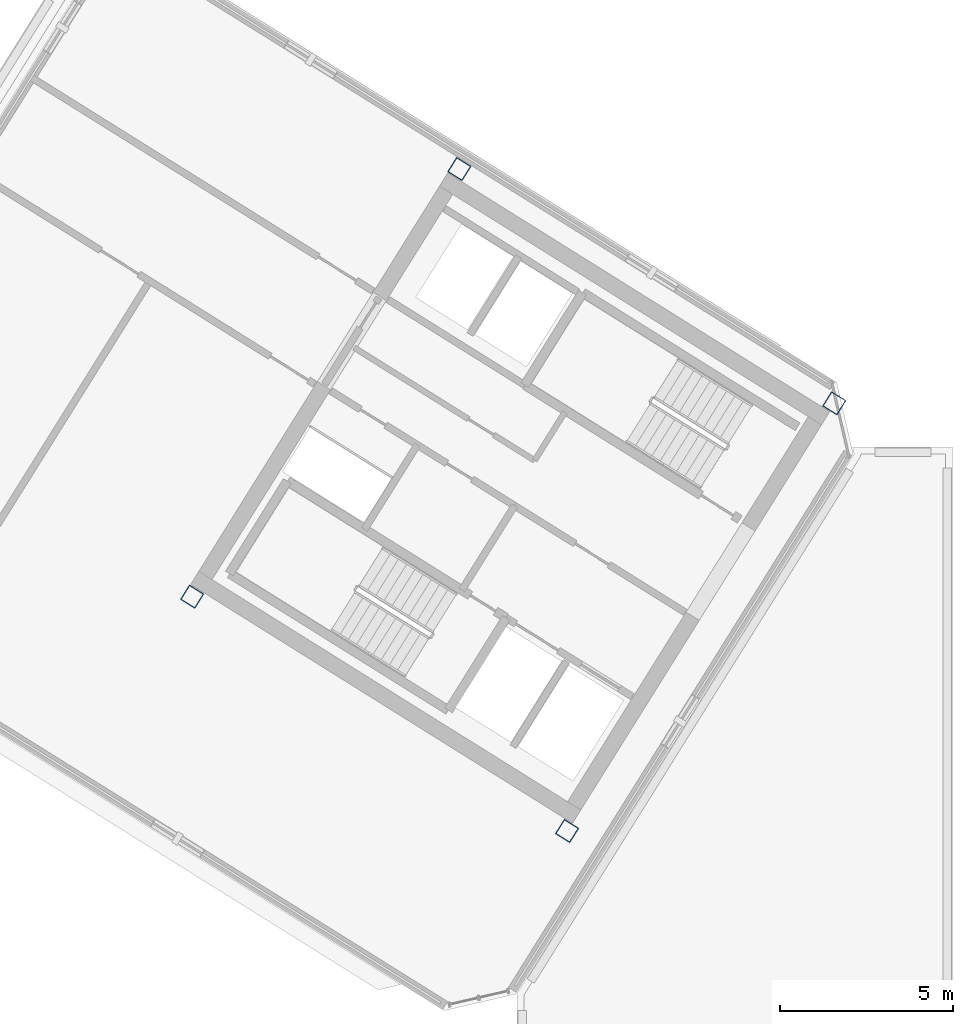
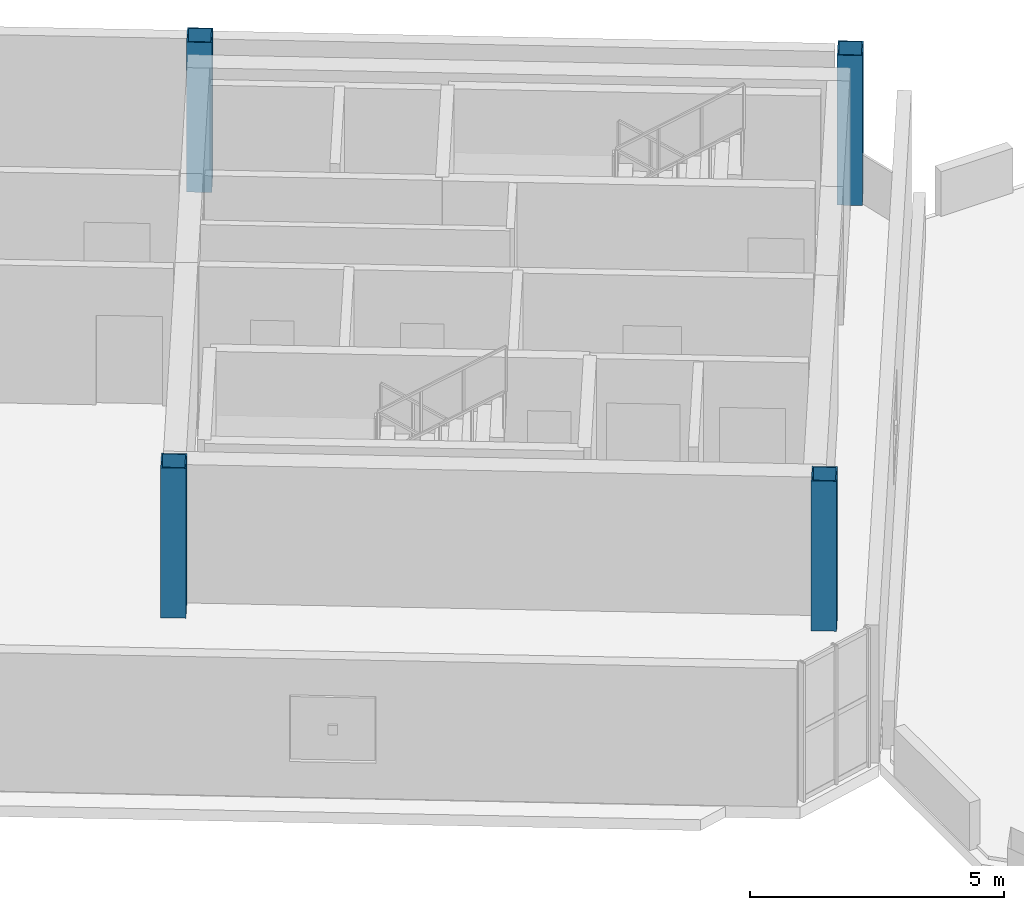
# One storey, part 1 of 8: 4 columns.
"""IFC4 building model written with IfcOpenShell, lengths in metres."""

import ifcopenshell
import ifcopenshell.guid

model = None  # the IFC model being written
_history = None  # IfcOwnerHistory: only IFC2X3 demands one
_inside = {}  # id of a spatial element -> (the spatial element, [elements in it])
_under = {}  # id of a project, library or spatial element -> (it, [spatial elements below it])
_declared = {}  # id of a project -> (the project, [libraries it declares])
_typed = {}  # id of a type object -> (the type object, [elements of that type])
_made_of = {}  # id of a material, layer set ... -> (it, [elements and type objects made of it])


def new_model(schema):
    """Start an empty IFC model of exactly this schema.

    Asked for "IFC4X3", IfcOpenShell would pick the latest addendum, in which some entities
    have other attributes; the version numbers below select the first issue.
    IFC2X3 requires an IfcOwnerHistory on every rooted entity: one is made here for all.
    """
    global model, _history
    if schema == "IFC4X3":
        model = ifcopenshell.file(schema_version=(4, 3, 0, 0))
    else:
        model = ifcopenshell.file(schema=schema)
    _inside.clear()
    _under.clear()
    _declared.clear()
    _typed.clear()
    _made_of.clear()
    _history = None
    if model.schema == "IFC2X3":
        org = make("IfcOrganization", Name="unknown")
        user = make(
            "IfcPersonAndOrganization",
            ThePerson=make("IfcPerson", FamilyName="unknown"),
            TheOrganization=org,
        )
        app = make(
            "IfcApplication",
            ApplicationDeveloper=org,
            Version="unknown",
            ApplicationFullName="unknown",
            ApplicationIdentifier="unknown",
        )
        _history = make(
            "IfcOwnerHistory",
            OwningUser=user,
            OwningApplication=app,
            ChangeAction="ADDED",
            CreationDate=0,
        )
    return model


def make(cls, **values):
    """One entity of the class cls with the attributes given. An attribute that is None is left unset."""
    return model.create_entity(
        cls, **{name: value for name, value in values.items() if value is not None}
    )


def rooted(cls, **values):
    """An entity with a GlobalId (a new one), such as an element, a storey or a relation."""
    return make(cls, GlobalId=ifcopenshell.guid.new(), OwnerHistory=_history, **values)


def si_unit(unit_type, name, prefix=None):
    """IfcSIUnit, for example si_unit("LENGTHUNIT", "METRE", prefix="MILLI")."""
    return make("IfcSIUnit", UnitType=unit_type, Prefix=prefix, Name=name)


def assignment(units):
    """IfcUnitAssignment: the units of a project."""
    return None if units is None else make("IfcUnitAssignment", Units=units)


def point(xyz):
    """IfcCartesianPoint."""
    return None if xyz is None else make("IfcCartesianPoint", Coordinates=xyz)


def direction(xyz):
    """IfcDirection."""
    return None if xyz is None else make("IfcDirection", DirectionRatios=xyz)


def frame(location, z_axis=None, x_axis=None):
    """IfcAxis2Placement3D, a coordinate frame: its origin and axes. An axis left out is left unset."""
    return make(
        "IfcAxis2Placement3D",
        Location=point(location),
        Axis=direction(z_axis),
        RefDirection=direction(x_axis),
    )


def frame_2d(location, x_axis=None):
    """IfcAxis2Placement2D, a coordinate frame in the plane: its origin and x axis."""
    return make(
        "IfcAxis2Placement2D", Location=point(location), RefDirection=direction(x_axis)
    )


def origin():
    """The frame at (0, 0, 0) with its axes left unset."""
    return frame((0.0, 0.0, 0.0))


def origin_2d():
    """The frame at (0, 0) in the plane with its x axis left unset."""
    return frame_2d((0.0, 0.0))


def place(relative_to, where):
    """IfcLocalPlacement: puts the frame where relative to a parent placement (None: the world)."""
    return make(
        "IfcLocalPlacement", PlacementRelTo=relative_to, RelativePlacement=where
    )


def context(
    kind, dimensions, precision=None, world=None, true_north=None, identifier=None
):
    """IfcGeometricRepresentationContext, for example the 3D "Model" context."""
    return make(
        "IfcGeometricRepresentationContext",
        ContextIdentifier=identifier,
        ContextType=kind,
        CoordinateSpaceDimension=dimensions,
        Precision=precision,
        WorldCoordinateSystem=world,
        TrueNorth=true_north,
    )


def subcontext(parent, identifier, kind, view, scale=None):
    """IfcGeometricRepresentationSubContext, for example "Body" below "Model"."""
    return make(
        "IfcGeometricRepresentationSubContext",
        ContextIdentifier=identifier,
        ContextType=kind,
        ParentContext=parent,
        TargetScale=scale,
        TargetView=view,
    )


def project(units=None, contexts=None):
    """IfcProject with its units and contexts."""
    return rooted(
        "IfcProject",
        Name="project",
        RepresentationContexts=contexts,
        UnitsInContext=assignment(units),
    )


def spatial(cls, under=None, at=None, **own):
    """A site, building, storey or space (cls), placed at a placement, below another one or the project."""
    s = rooted(cls, ObjectPlacement=at, **own)
    if under is not None:
        _under.setdefault(under.id(), (under, []))[1].append(s)
    return s


def profile(cls, at=None, kind="AREA", **sizes):
    """A parametric profile (cls). Its sizes go by their IFC names, for example OverallWidth=200.0."""
    return make(cls, ProfileType=kind, Position=at, **sizes)


def hollow_rectangle(**sizes):
    """IfcRectangleHollowProfileDef."""
    return profile("IfcRectangleHollowProfileDef", **sizes)


def extrude(swept, where, along, depth):
    """IfcExtrudedAreaSolid: the profile swept, set in the frame where, extruded along a direction by depth."""
    return make(
        "IfcExtrudedAreaSolid",
        SweptArea=swept,
        Position=where,
        ExtrudedDirection=direction(along),
        Depth=depth,
    )


def shape(context_of_items, identifier, shape_type, items):
    """IfcShapeRepresentation: the items that make up one representation, for example the "Body"."""
    return make(
        "IfcShapeRepresentation",
        ContextOfItems=context_of_items,
        RepresentationIdentifier=identifier,
        RepresentationType=shape_type,
        Items=items,
    )


def source(mapping_origin, context_of_items, identifier, shape_type, items):
    """IfcRepresentationMap: a shape defined once, which mapped items show again and again."""
    return make(
        "IfcRepresentationMap",
        MappingOrigin=mapping_origin,
        MappedRepresentation=shape(context_of_items, identifier, shape_type, items),
    )


def transform(
    local_origin,
    x_axis=None,
    y_axis=None,
    z_axis=None,
    scale=None,
    scale2=None,
    scale3=None,
    uniform=True,
):
    """IfcCartesianTransformationOperator3D, or its non-uniform kind. x_axis, y_axis, z_axis: its Axis1, 2, 3."""
    if uniform:
        return make(
            "IfcCartesianTransformationOperator3D",
            Axis1=direction(x_axis),
            Axis2=direction(y_axis),
            LocalOrigin=point(local_origin),
            Scale=scale,
            Axis3=direction(z_axis),
        )
    return make(
        "IfcCartesianTransformationOperator3DnonUniform",
        Axis1=direction(x_axis),
        Axis2=direction(y_axis),
        LocalOrigin=point(local_origin),
        Scale=scale,
        Axis3=direction(z_axis),
        Scale2=scale2,
        Scale3=scale3,
    )


def mapped(mapping_source, mapping_target):
    """IfcMappedItem: shows the shape of a source again, moved by a transform."""
    return make(
        "IfcMappedItem", MappingSource=mapping_source, MappingTarget=mapping_target
    )


def material(Name=None, Category=None):
    """IfcMaterial."""
    return make("IfcMaterial", Name=Name, Category=Category)


def material_profile(
    of_material, cross_section, Name=None, Category=None, Priority=None
):
    """IfcMaterialProfile: a cross section and its material."""
    return make(
        "IfcMaterialProfile",
        Name=Name,
        Material=of_material,
        Profile=cross_section,
        Priority=Priority,
        Category=Category,
    )


def profile_set(profiles, Name=None, composite=None):
    """IfcMaterialProfileSet."""
    return make(
        "IfcMaterialProfileSet",
        Name=Name,
        MaterialProfiles=profiles,
        CompositeProfile=composite,
    )


def made_of(thing, what):
    """Note that an element or type object is made of a material, layer set ...; save() writes the relation."""
    if what is not None:
        _made_of.setdefault(what.id(), (what, []))[1].append(thing)
    return thing


def type_object(cls, material=None, **own):
    """A type object (cls), such as IfcWallType, which elements share."""
    return made_of(rooted(cls, **own), material)


def element(
    cls,
    number,
    at=None,
    inside=None,
    cuts=None,
    type_object=None,
    material=None,
    context=None,
    identifier="Body",
    shape_type=None,
    held_by="IfcProductDefinitionShape",
    body=None,
    shapes=None,
    **own,
):
    """One element of the class cls, such as IfcWall. Its Tag is "e" and its number.

    at: its placement. inside: the storey or other place that contains it. cuts: it is an
    opening in that element (IfcRelVoidsElement). A single representation is given by context,
    identifier, shape_type and body (its items); several are given by shapes. held_by: the class
    of the entity that holds the representations. save() writes the other relations.
    """
    e = rooted(cls, Tag="e%d" % number, ObjectPlacement=at, **own)
    if body is not None:
        shapes = [shape(context, identifier, shape_type, body)]
    if shapes is not None:
        e.Representation = make(held_by, Representations=shapes)
    if inside is not None:
        _inside.setdefault(inside.id(), (inside, []))[1].append(e)
    if cuts is not None:
        rooted(
            "IfcRelVoidsElement", RelatingBuildingElement=cuts, RelatedOpeningElement=e
        )
    if type_object is not None:
        _typed.setdefault(type_object.id(), (type_object, []))[1].append(e)
    return made_of(e, material)


def aggregate(whole, parts):
    """IfcRelAggregates: a whole, such as a stair, and the parts it consists of."""
    return rooted("IfcRelAggregates", RelatingObject=whole, RelatedObjects=parts)


def save(model, path):
    """Write the relations noted so far, then the file.

    IfcRelAggregates (storeys below a building ...), IfcRelContainedInSpatialStructure (elements
    in a storey), IfcRelDefinesByType, IfcRelAssociatesMaterial and IfcRelDeclares: one each for
    every whole, place, type object, material and project.
    """
    for whole, parts in _under.values():
        aggregate(whole, parts)
    for where, things in _inside.values():
        rooted(
            "IfcRelContainedInSpatialStructure",
            RelatedElements=things,
            RelatingStructure=where,
        )
    for kind, things in _typed.values():
        rooted("IfcRelDefinesByType", RelatedObjects=things, RelatingType=kind)
    for what, things in _made_of.values():
        rooted("IfcRelAssociatesMaterial", RelatedObjects=things, RelatingMaterial=what)
    for by, libraries in _declared.values():
        rooted("IfcRelDeclares", RelatingContext=by, RelatedDefinitions=libraries)
    model.write(path)


model = new_model("IFC4")

# Units and contexts
model_context = context("Model", 3, precision=1e-05, world=origin(), true_north=direction((0.0, 1.0)))
body_context = subcontext(model_context, "Body", "Model", "MODEL_VIEW")
ifc_project = project(units=[si_unit("LENGTHUNIT", "METRE"), si_unit("AREAUNIT", "SQUARE_METRE"), si_unit("VOLUMEUNIT", "CUBIC_METRE"), si_unit("PLANEANGLEUNIT", "RADIAN"), si_unit("MASSUNIT", "GRAM", prefix="KILO")], contexts=[model_context])

# Site, building, storey
site_placement = place(None, origin())
site = spatial("IfcSite", under=ifc_project, at=site_placement, CompositionType="ELEMENT")
building_placement = place(site_placement, origin())
building = spatial("IfcBuilding", under=site, at=building_placement, Name="Tlacorven Tower", CompositionType="ELEMENT")
storey_placement = place(building_placement, frame((0.0, 0.0, 298.800048828125)))
storey = spatial("IfcBuildingStorey", under=building, at=storey_placement, Name="L76", CompositionType="ELEMENT", Elevation=298.800048828125)

# Columns
ifc_material = material(Name="Steel S355J2", Category="steel")
ifc_material_profile = material_profile(ifc_material, hollow_rectangle(XDim=0.5, YDim=0.5, WallThickness=0.02490234375, at=origin_2d()), Name="BOX 500X500X25")
ifc_profile_set = profile_set([ifc_material_profile], Name="Steel S355J2")
column_type = type_object("IfcColumnType", Name="COL-CRN-01", PredefinedType="COLUMN", material=ifc_profile_set)
shared_shape = source(origin(), body_context, "Body", "SweptSolid", [
    extrude(hollow_rectangle(XDim=0.5, YDim=0.5, WallThickness=0.02490234375, at=origin_2d()), origin(), (0.0, 0.0, 1.0), 3.599853515625),
])
for number, where, z_axis, x_axis, name in (
    (1, (40.782958984375, 24.468505859375, 0.0), (0.0, 0.0, 1.0), (-0.848048096156, 0.529919264233, 0.0), "L76 column COL-L76-CR11"),
    (2, (33.046142578125, 12.0869140625, 0.0), (0.0, 0.0, 1.0), (-0.848048096156, 0.529919264233, 0.0), "L76 column COL-L76-CR12"),
    (3, (29.927978515625, 31.25146484375, 0.0), (0.0, 0.0, 1.0), (-0.848048096156, 0.529919264233, 0.0), "L76 column COL-L76-CR21"),
    (4, (22.191162109375, 18.869873046875, 0.0), (0.0, 0.0, 1.0), (-0.848048096156, 0.529919264233, 0.0), "L76 column COL-L76-CR22"),
):
    element("IfcColumn", number, at=place(storey_placement, frame(where, z_axis=z_axis, x_axis=x_axis)), inside=storey, type_object=column_type, Name=name, PredefinedType="COLUMN", context=body_context, shape_type="MappedRepresentation", body=[
        mapped(shared_shape, transform((0.0, 0.0, 0.0), scale=1.0)),
    ])

save(model, "model.ifc")
